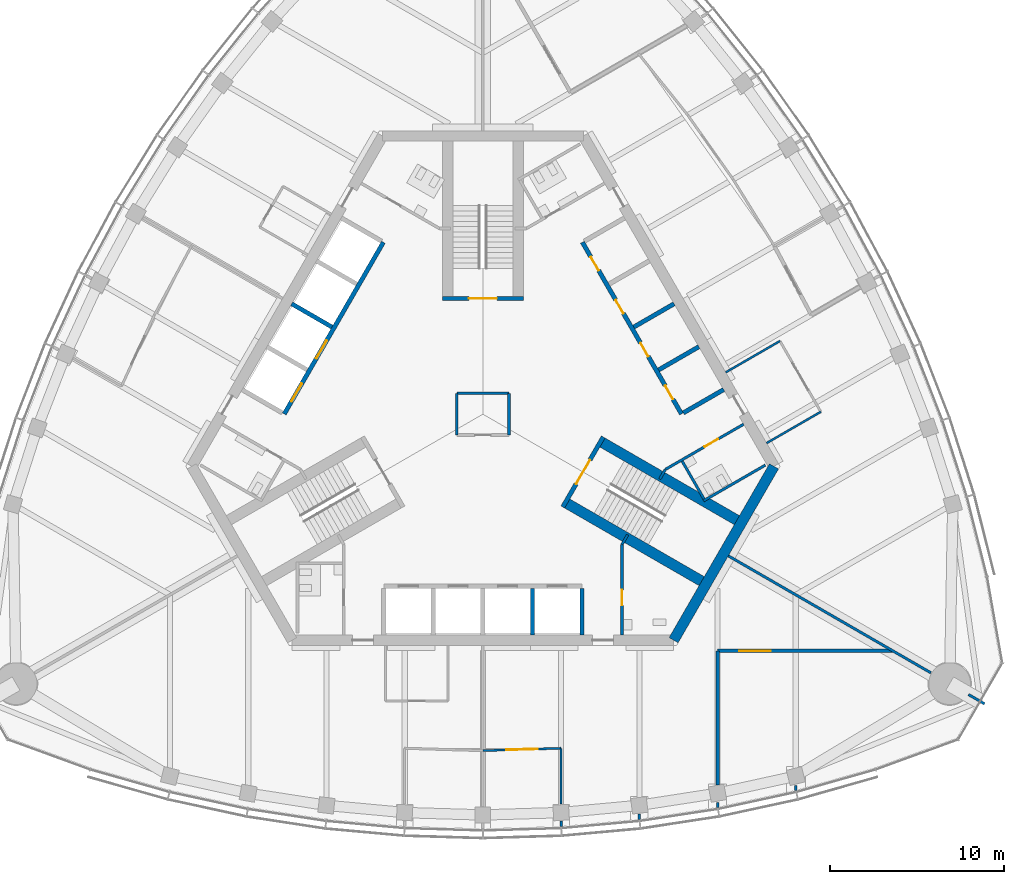
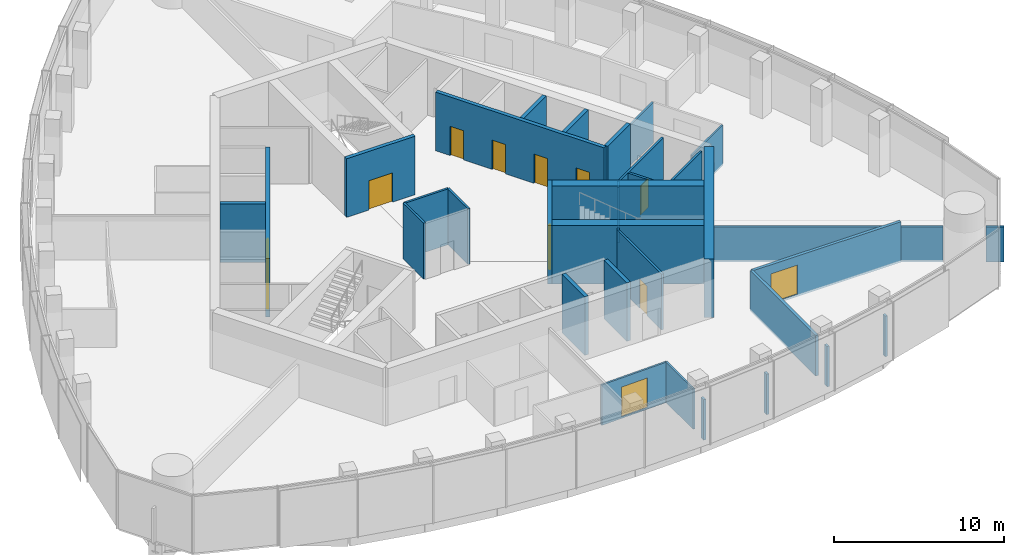
# One storey, part 9 of 16: 34 walls, 12 doors, 12 openings.
"""IFC4 building model written with IfcOpenShell, lengths in metres."""

from ifc_helpers import new_model, si_unit, direction, frame, frame_2d, origin, place, context, subcontext, project, spatial, rectangle, extrude, material, layer, layer_set, type_object, element, fill, save


model = new_model("IFC4")

# Units and contexts
model_context = context("Model", 3, precision=1e-05, world=origin(), true_north=direction((0.0, 1.0)))
body_context = subcontext(model_context, "Body", "Model", "MODEL_VIEW")
ifc_project = project(units=[si_unit("LENGTHUNIT", "METRE"), si_unit("AREAUNIT", "SQUARE_METRE"), si_unit("VOLUMEUNIT", "CUBIC_METRE"), si_unit("PLANEANGLEUNIT", "RADIAN"), si_unit("MASSUNIT", "GRAM", prefix="KILO")], contexts=[model_context])

# Site, building, storey
site_placement = place(None, origin())
site = spatial("IfcSite", under=ifc_project, at=site_placement, CompositionType="ELEMENT")
building_placement = place(site_placement, origin())
building = spatial("IfcBuilding", under=site, at=building_placement, Name="Trefoil Bronze Tower", CompositionType="ELEMENT")
storey_placement = place(building_placement, frame((0.0, 0.0, 314.10009765625)))
storey = spatial("IfcBuildingStorey", under=building, at=storey_placement, Name="L72", CompositionType="ELEMENT", Elevation=314.10009765625)

# Wall, opening, door
ifc_material_1 = material(Name="Gypsum board on steel studs", Category="steel")
ifc_layer_1 = layer(ifc_material_1, 0.199951171875)
ifc_layer_set_1 = layer_set([ifc_layer_1], Name="Acoustic partition 200")
wall_type_1 = type_object("IfcWallType", Name="Acoustic partition 200", PredefinedType="PARTITIONING", material=ifc_layer_set_1)
wall_1_placement = place(storey_placement, frame((13.5, -13.6201171875, 0.0), z_axis=(0.0, 0.0, 1.0), x_axis=(1.0, 0.0, 0.0)))
wall_1 = element("IfcWall", 1, at=wall_1_placement, inside=storey, type_object=wall_type_1, Name="Partition F1 L72", PredefinedType="PARTITIONING", context=body_context, shape_type="SweptSolid", body=[
    extrude(rectangle(XDim=10.070068359375, YDim=0.199951171875, at=frame_2d((5.03515625, 0.0))), origin(), (0.0, 0.0, 1.0), 2.89990234375),
])
opening_1_placement = place(wall_1_placement, frame((1.25, 0.0, 0.14990234375)))
opening_1 = element("IfcOpeningElement", 2, at=opening_1_placement, cuts=wall_1, Name="Opening D10", PredefinedType="OPENING", context=body_context, shape_type="SweptSolid", body=[
    extrude(rectangle(XDim=1.800048828125, YDim=2.10009765625, at=frame_2d((0.89990234375, 1.050048828125))), frame((0.0, 0.10986328125, 0.0), z_axis=(0.0, -1.0, 0.0), x_axis=(1.0, 0.0, 0.0)), (0.0, 0.0, 1.0), 0.219970703125),
])
ifc_material_2 = material(Name="Timber door", Category="wood")
door_type_1 = type_object("IfcDoorType", Name="Double door 1800", OperationType="DOUBLE_DOOR_SINGLE_SWING", PredefinedType="DOOR", material=ifc_material_2)
door_1_placement = place(opening_1_placement, frame((1.800048828125, 0.0, 0.0), z_axis=(0.0, 0.0, 1.0), x_axis=(-1.0, 0.0, 0.0)))
door_1 = element("IfcDoor", 3, at=door_1_placement, inside=storey, type_object=door_type_1, Name="Private dining room door F1 L72", OperationType="DOUBLE_DOOR_SINGLE_SWING", OverallHeight=2.10009765625, OverallWidth=1.800048828125, PredefinedType="DOOR", context=body_context, shape_type="SweptSolid", body=[
    extrude(rectangle(XDim=1.800048828125, YDim=2.10009765625, at=frame_2d((0.89990234375, 1.050048828125))), frame((0.0, 0.02490234375, 0.0), z_axis=(0.0, -1.0, 0.0), x_axis=(1.0, 0.0, 0.0)), (0.0, 0.0, 1.0), 0.050048828125),
])
fill(opening_1, door_1)

# Walls
wall_2_placement = place(storey_placement, frame((13.5, -13.6201171875, 0.0), z_axis=(0.0, 0.0, 1.0), x_axis=(0.0, -1.0, 0.0)))
element("IfcWall", 4, at=wall_2_placement, inside=storey, type_object=wall_type_1, Name="Partition F1 L72", PredefinedType="PARTITIONING", context=body_context, shape_type="SweptSolid", body=[
    extrude(rectangle(XDim=7.694580078125, YDim=0.199951171875, at=frame_2d((3.84716796875, 0.0))), origin(), (0.0, 0.0, 1.0), 2.89990234375),
])
ifc_material_3 = material(Name="Concrete B80", Category="concrete")
ifc_layer_2 = layer(ifc_material_3, 0.60009765625)
ifc_layer_set_2 = layer_set([ifc_layer_2], Name="Core wall 600")
wall_type_2 = type_object("IfcWallType", Name="Core wall 600", PredefinedType="SHEAR", material=ifc_layer_set_2)
wall_3_placement = place(storey_placement, frame((10.9697265625, -13.0, 0.0), z_axis=(0.0, 0.0, 1.0), x_axis=(0.499995765644, 0.866027848477, 0.0)))
element("IfcWall", 5, at=wall_3_placement, inside=storey, type_object=wall_type_2, Name="Core short wall 1 L72", PredefinedType="SHEAR", context=body_context, shape_type="SweptSolid", body=[
    extrude(rectangle(XDim=11.546875, YDim=0.60009765625, at=frame_2d((5.7734375, 0.0))), origin(), (0.0, 0.0, 1.0), 4.199951171875),
])

# Wall, opening, door
ifc_material_4 = material(Name="Glazed partition", Category="glass")
ifc_layer_3 = layer(ifc_material_4, 0.1201171875)
ifc_layer_set_3 = layer_set([ifc_layer_3], Name="Glazed partition 120")
wall_type_3 = type_object("IfcWallType", Name="Glazed partition 120", PredefinedType="PARTITIONING", material=ifc_layer_set_3)
wall_4_placement = place(storey_placement, frame((0.0, -19.3515625, 0.0), z_axis=(0.0, 0.0, 1.0), x_axis=(0.999542074227, 0.030259574513, 0.0)))
wall_4 = element("IfcWall", 6, at=wall_4_placement, inside=storey, type_object=wall_type_3, Name="Partition F1 L72", PredefinedType="PARTITIONING", context=body_context, shape_type="SweptSolid", body=[
    extrude(rectangle(XDim=4.501953125, YDim=0.1201171875, at=frame_2d((2.2509765625, 0.0))), origin(), (0.0, 0.0, 1.0), 2.89990234375),
])
opening_2_placement = place(wall_4_placement, frame((1.35009765625, 0.0, 0.14990234375)))
opening_2 = element("IfcOpeningElement", 7, at=opening_2_placement, cuts=wall_4, Name="Opening D10", PredefinedType="OPENING", context=body_context, shape_type="SweptSolid", body=[
    extrude(rectangle(XDim=1.800048828125, YDim=2.10009765625, at=frame_2d((0.89990234375, 1.050048828125))), frame((0.0, 0.070068359375, 0.0), z_axis=(0.0, -1.0, 0.0), x_axis=(1.0, 0.0, 0.0)), (0.0, 0.0, 1.0), 0.14013671875),
])
door_2_placement = place(opening_2_placement, frame((1.800048828125, 0.0, 0.0), z_axis=(0.0, 0.0, 1.0), x_axis=(-1.0, 0.0, 0.0)))
door_2 = element("IfcDoor", 8, at=door_2_placement, inside=storey, type_object=door_type_1, Name="Kitchen door F1 L72", OperationType="DOUBLE_DOOR_SINGLE_SWING", OverallHeight=2.10009765625, OverallWidth=1.800048828125, PredefinedType="DOOR", context=body_context, shape_type="SweptSolid", body=[
    extrude(rectangle(XDim=1.800048828125, YDim=2.10009765625, at=frame_2d((0.89990234375, 1.050048828125))), frame((0.0, 0.02490234375, 0.0), z_axis=(0.0, -1.0, 0.0), x_axis=(1.0, 0.0, 0.0)), (0.0, 0.0, 1.0), 0.050048828125),
])
fill(opening_2, door_2)

# Walls
wall_5_placement = place(storey_placement, frame((4.5, -19.21533203125, 0.0), z_axis=(0.0, 0.0, 1.0), x_axis=(0.0, -1.0, 0.0)))
element("IfcWall", 9, at=wall_5_placement, inside=storey, type_object=wall_type_3, Name="Partition F1 L72", PredefinedType="PARTITIONING", context=body_context, shape_type="SweptSolid", body=[
    extrude(rectangle(XDim=3.2177734375, YDim=0.1201171875, at=frame_2d((1.60888671875, 0.0))), origin(), (0.0, 0.0, 1.0), 2.89990234375),
])
wall_6_placement = place(storey_placement, frame((13.968017578125, 2.406494140625, 0.0), z_axis=(0.0, 0.0, 1.0), x_axis=(0.866035395735, 0.499982693035, 0.0)))
element("IfcWall", 10, at=wall_6_placement, inside=storey, type_object=wall_type_3, Name="Partition F2 L72", PredefinedType="PARTITIONING", context=body_context, shape_type="SweptSolid", body=[
    extrude(rectangle(XDim=3.600341796875, YDim=0.1201171875, at=frame_2d((1.80029296875, 0.0))), origin(), (0.0, 0.0, 1.0), 2.89990234375),
])
wall_7_placement = place(storey_placement, frame((16.318115234375, -1.663818359375, 0.0), z_axis=(0.0, 0.0, 1.0), x_axis=(0.866018442252, 0.500012057535, 0.0)))
element("IfcWall", 11, at=wall_7_placement, inside=storey, type_object=wall_type_3, Name="Partition F2 L72", PredefinedType="PARTITIONING", context=body_context, shape_type="SweptSolid", body=[
    extrude(rectangle(XDim=3.60009765625, YDim=0.1201171875, at=frame_2d((1.800048828125, 0.0))), origin(), (0.0, 0.0, 1.0), 2.89990234375),
])

# Wall, opening, door
ifc_material_5 = material(Name="Gypsum board on steel studs", Category="steel")
ifc_layer_4 = layer(ifc_material_5, 0.14990234375)
ifc_layer_set_4 = layer_set([ifc_layer_4], Name="Partition 150")
wall_type_4 = type_object("IfcWallType", Name="Partition 150", PredefinedType="PARTITIONING", material=ifc_layer_set_4)
wall_8_placement = place(storey_placement, frame((8.0, -7.5, 0.0), z_axis=(0.0, 0.0, 1.0), x_axis=(0.0, -1.0, 0.0)))
wall_8 = element("IfcWall", 12, at=wall_8_placement, inside=storey, type_object=wall_type_4, Name="Passage wall F1+ L72", PredefinedType="PARTITIONING", context=body_context, shape_type="SweptSolid", body=[
    extrude(rectangle(XDim=5.199951171875, YDim=0.14990234375, at=frame_2d((2.60009765625, 0.0))), origin(), (0.0, 0.0, 1.0), 4.0),
])
opening_3_placement = place(wall_8_placement, frame((2.60009765625, 0.0, 0.0)))
opening_3 = element("IfcOpeningElement", 13, at=opening_3_placement, cuts=wall_8, Name="Opening D3", PredefinedType="OPENING", context=body_context, shape_type="SweptSolid", body=[
    extrude(rectangle(XDim=0.89990234375, YDim=2.10009765625, at=frame_2d((0.449951171875, 1.050048828125))), frame((0.0, 0.0849609375, 0.0), z_axis=(0.0, -1.0, 0.0), x_axis=(1.0, 0.0, 0.0)), (0.0, 0.0, 1.0), 0.169921875),
])
ifc_material_6 = material(Name="Timber door", Category="wood")
door_type_2 = type_object("IfcDoorType", Name="WC door 900", OperationType="SINGLE_SWING_LEFT", PredefinedType="DOOR", material=ifc_material_6)
door_3_placement = place(opening_3_placement, origin())
door_3 = element("IfcDoor", 14, at=door_3_placement, inside=storey, type_object=door_type_2, Name="Accessible WC door L72", OperationType="SINGLE_SWING_RIGHT", OverallHeight=2.10009765625, OverallWidth=0.89990234375, PredefinedType="DOOR", context=body_context, shape_type="SweptSolid", body=[
    extrude(rectangle(XDim=0.89990234375, YDim=2.10009765625, at=frame_2d((0.449951171875, 1.050048828125))), frame((0.0, 0.02490234375, 0.0), z_axis=(0.0, -1.0, 0.0), x_axis=(1.0, 0.0, 0.0)), (0.0, 0.0, 1.0), 0.050048828125),
])
fill(opening_3, door_3)

wall_9_placement = place(storey_placement, frame((10.4951171875, -3.17822265625, 0.0), z_axis=(0.0, 0.0, 1.0), x_axis=(0.866021400173, 0.500006934395, 0.0)))
wall_9 = element("IfcWall", 15, at=wall_9_placement, inside=storey, type_object=wall_type_4, Name="Passage wall F2- L72", PredefinedType="PARTITIONING", context=body_context, shape_type="SweptSolid", body=[
    extrude(rectangle(XDim=5.2001953125, YDim=0.14990234375, at=frame_2d((2.60009765625, 0.0))), origin(), (0.0, 0.0, 1.0), 4.0),
])
opening_4_placement = place(wall_9_placement, frame((2.60009765625, 0.0, 0.0)))
opening_4 = element("IfcOpeningElement", 16, at=opening_4_placement, cuts=wall_9, Name="Opening D3", PredefinedType="OPENING", context=body_context, shape_type="SweptSolid", body=[
    extrude(rectangle(XDim=0.89990234375, YDim=2.10009765625, at=frame_2d((0.449951171875, 1.050048828125))), frame((0.0, 0.0849609375, 0.0), z_axis=(0.0, -1.0, 0.0), x_axis=(1.0, 0.0, 0.0)), (0.0, 0.0, 1.0), 0.169921875),
])
door_4_placement = place(opening_4_placement, frame((0.89990234375, 0.0, 0.0), z_axis=(0.0, 0.0, 1.0), x_axis=(-1.0, 0.0, 0.0)))
door_4 = element("IfcDoor", 17, at=door_4_placement, inside=storey, type_object=door_type_2, Name="WC (women) door L72", OperationType="SINGLE_SWING_RIGHT", OverallHeight=2.10009765625, OverallWidth=0.89990234375, PredefinedType="DOOR", context=body_context, shape_type="SweptSolid", body=[
    extrude(rectangle(XDim=0.89990234375, YDim=2.10009765625, at=frame_2d((0.449951171875, 1.050048828125))), frame((0.0, 0.02490234375, 0.0), z_axis=(0.0, -1.0, 0.0), x_axis=(1.0, 0.0, 0.0)), (0.0, 0.0, 1.0), 0.050048828125),
])
fill(opening_4, door_4)

# Walls
for number, where, z_axis, x_axis, name in (
    (18, (8.0, -7.5, 0.0), (0.0, 0.0, 1.0), (0.499842556608, 0.866116284689, 0.0), "WC wall ST1-1 L72"),
    (19, (10.4951171875, -3.17822265625, 0.0), (0.0, 0.0, 1.0), (-0.499842556608, -0.866116284689, 0.0), "WC wall ST1+1 L72"),
):
    element("IfcWall", number, at=place(storey_placement, frame(where, z_axis=z_axis, x_axis=x_axis)), inside=storey, type_object=wall_type_4, Name=name, PredefinedType="PARTITIONING", context=body_context, shape_type="SweptSolid", body=[
        extrude(rectangle(XDim=0.645263671875, YDim=0.14990234375, at=frame_2d((0.32275390625, 0.0))), origin(), (0.0, 0.0, 1.0), 4.0),
    ])
wall_10_placement = place(storey_placement, frame((12.691162109375, -4.98193359375, 0.0), z_axis=(0.0, 0.0, 1.0), x_axis=(0.8660249478, 0.500000789788, 0.0)))
element("IfcWall", 20, at=wall_10_placement, inside=storey, type_object=wall_type_4, Name="WC partition WC (women) L72", PredefinedType="PARTITIONING", context=body_context, shape_type="SweptSolid", body=[
    extrude(rectangle(XDim=4.10009765625, YDim=0.14990234375, at=frame_2d((2.050048828125, 0.0))), origin(), (0.0, 0.0, 1.0), 4.0),
])
wall_11_placement = place(storey_placement, frame((11.463623046875, -2.70556640625, 0.0), z_axis=(0.0, 0.0, 1.0), x_axis=(0.50001992892, -0.866013897511, 0.0)))
element("IfcWall", 21, at=wall_11_placement, inside=storey, type_object=wall_type_4, Name="WC partition WC (women) L72", PredefinedType="PARTITIONING", context=body_context, shape_type="SweptSolid", body=[
    extrude(rectangle(XDim=2.51025390625, YDim=0.14990234375, at=frame_2d((1.255126953125, 0.0))), origin(), (0.0, 0.0, 1.0), 4.0),
])
wall_12_placement = place(storey_placement, frame((13.5, -22.3310546875, 0.0), z_axis=(0.0, 0.0, 1.0), x_axis=(0.0, -1.0, 0.0)))
element("IfcWall", 22, at=wall_12_placement, inside=storey, type_object=wall_type_4, Name="Partition F1 L72", PredefinedType="PARTITIONING", context=body_context, shape_type="SweptSolid", body=[
    extrude(rectangle(XDim=0.2802734375, YDim=0.14990234375, at=frame_2d((0.14013671875, 0.0))), origin(), (0.0, 0.0, 1.0), 2.89990234375),
])
wall_13_placement = place(storey_placement, frame((18.0, -21.365966796875, 0.0), z_axis=(0.0, 0.0, 1.0), x_axis=(0.0, -1.0, 0.0)))
element("IfcWall", 23, at=wall_13_placement, inside=storey, type_object=wall_type_4, Name="Partition F1 L72", PredefinedType="PARTITIONING", context=body_context, shape_type="SweptSolid", body=[
    extrude(rectangle(XDim=0.269775390625, YDim=0.14990234375, at=frame_2d((0.134765625, 0.0))), origin(), (0.0, 0.0, 1.0), 2.89990234375),
])
wall_14_placement = place(storey_placement, frame((4.5, -23.394287109375, 0.0), z_axis=(0.0, 0.0, 1.0), x_axis=(0.0, -1.0, 0.0)))
element("IfcWall", 24, at=wall_14_placement, inside=storey, type_object=wall_type_4, Name="Partition F1 L72", PredefinedType="PARTITIONING", context=body_context, shape_type="SweptSolid", body=[
    extrude(rectangle(XDim=0.316162109375, YDim=0.14990234375, at=frame_2d((0.158203125, 0.0))), origin(), (0.0, 0.0, 1.0), 2.89990234375),
])
wall_15_placement = place(storey_placement, frame((9.0, -23.00439453125, 0.0), z_axis=(0.0, 0.0, 1.0), x_axis=(0.0, -1.0, 0.0)))
element("IfcWall", 25, at=wall_15_placement, inside=storey, type_object=wall_type_4, Name="Partition F1 L72", PredefinedType="PARTITIONING", context=body_context, shape_type="SweptSolid", body=[
    extrude(rectangle(XDim=0.295654296875, YDim=0.14990234375, at=frame_2d((0.14794921875, 0.0))), origin(), (0.0, 0.0, 1.0), 2.89990234375),
])
ifc_material_7 = material(Name="Gypsum board on steel studs", Category="steel")
ifc_layer_5 = layer(ifc_material_7, 0.14990234375)
ifc_layer_set_5 = layer_set([ifc_layer_5], Name="Party wall 150")
wall_type_5 = type_object("IfcWallType", Name="Party wall 150", PredefinedType="PARTITIONING", material=ifc_layer_set_5)
wall_16_placement = place(storey_placement, frame((14.1162109375, -8.14990234375, 0.0), z_axis=(0.0, 0.0, 1.0), x_axis=(0.866020541135, -0.500008422262, 0.0)))
element("IfcWall", 26, at=wall_16_placement, inside=storey, type_object=wall_type_5, Name="Party wall K1 L72", PredefinedType="PARTITIONING", context=body_context, shape_type="SweptSolid", body=[
    extrude(rectangle(XDim=13.449951171875, YDim=0.14990234375, at=frame_2d((6.72509765625, 0.0))), origin(), (0.0, 0.0, 1.0), 2.5),
])
wall_17_placement = place(storey_placement, frame((27.92919921875, -16.125, 0.0), z_axis=(0.0, 0.0, 1.0), x_axis=(0.866086810508, -0.499893625349, 0.0)))
element("IfcWall", 27, at=wall_17_placement, inside=storey, type_object=wall_type_5, Name="Party wall K1 L72", PredefinedType="PARTITIONING", context=body_context, shape_type="SweptSolid", body=[
    extrude(rectangle(XDim=1.070068359375, YDim=0.14990234375, at=frame_2d((0.53515625, 0.0))), origin(), (0.0, 0.0, 1.0), 2.5),
])
ifc_material_8 = material(Name="Gypsum board on steel studs", Category="steel")
ifc_layer_6 = layer(ifc_material_8, 0.14990234375)
ifc_layer_set_6 = layer_set([ifc_layer_6], Name="Riser wall 150")
wall_type_6 = type_object("IfcWallType", Name="Riser wall 150", PredefinedType="PARTITIONING", material=ifc_layer_set_6)
wall_18_placement = place(storey_placement, frame((1.5, -1.199951171875, 0.0), z_axis=(0.0, 0.0, 1.0), x_axis=(0.0, 1.0, 0.0)))
element("IfcWall", 28, at=wall_18_placement, inside=storey, type_object=wall_type_6, Name="Riser wall L72", PredefinedType="PARTITIONING", context=body_context, shape_type="SweptSolid", body=[
    extrude(rectangle(XDim=2.39990234375, YDim=0.14990234375, at=frame_2d((1.199951171875, 0.0))), origin(), (0.0, 0.0, 1.0), 4.0),
])
wall_19_placement = place(storey_placement, frame((1.5, 1.199951171875, 0.0), z_axis=(0.0, 0.0, 1.0), x_axis=(-1.0, 0.0, 0.0)))
element("IfcWall", 29, at=wall_19_placement, inside=storey, type_object=wall_type_6, Name="Riser wall L72", PredefinedType="PARTITIONING", context=body_context, shape_type="SweptSolid", body=[
    extrude(rectangle(XDim=3.0, YDim=0.14990234375, at=frame_2d((1.5, 0.0))), origin(), (0.0, 0.0, 1.0), 4.0),
])
wall_20_placement = place(storey_placement, frame((-1.5, 1.199951171875, 0.0), z_axis=(0.0, 0.0, 1.0), x_axis=(0.0, -1.0, 0.0)))
element("IfcWall", 30, at=wall_20_placement, inside=storey, type_object=wall_type_6, Name="Riser wall L72", PredefinedType="PARTITIONING", context=body_context, shape_type="SweptSolid", body=[
    extrude(rectangle(XDim=2.39990234375, YDim=0.14990234375, at=frame_2d((1.199951171875, 0.0))), origin(), (0.0, 0.0, 1.0), 4.0),
])
ifc_material_9 = material(Name="Concrete B80", Category="concrete")
ifc_layer_7 = layer(ifc_material_9, 0.25)
ifc_layer_set_7 = layer_set([ifc_layer_7], Name="Shaft wall 250")
wall_type_7 = type_object("IfcWallType", Name="Shaft wall 250", PredefinedType="SHEAR", material=ifc_layer_set_7)
for number, where, z_axis, x_axis, name in (
    (31, (2.85009765625, -10.02490234375, 0.0), (0.0, 0.0, 1.0), (0.0, -1.0, 0.0), "Lift shaft side wall A3 L72"),
    (32, (5.699951171875, -10.02490234375, 0.0), (0.0, 0.0, 1.0), (0.0, -1.0, 0.0), "Lift shaft side wall A4 L72"),
):
    element("IfcWall", number, at=place(storey_placement, frame(where, z_axis=z_axis, x_axis=x_axis)), inside=storey, type_object=wall_type_7, Name=name, PredefinedType="SHEAR", context=body_context, shape_type="SweptSolid", body=[
        extrude(rectangle(XDim=2.675048828125, YDim=0.25, at=frame_2d((1.33740234375, 0.0))), origin(), (0.0, 0.0, 1.0), 4.199951171875),
    ])

# Wall, openings, doors
wall_21_placement = place(storey_placement, frame((11.423583984375, 0.013671875, 0.0), z_axis=(0.0, 0.0, 1.0), x_axis=(-0.500001763848, 0.866024385424, 0.0)))
wall_21 = element("IfcWall", 33, at=wall_21_placement, inside=storey, type_object=wall_type_7, Name="Lift shaft front wall B L72", PredefinedType="SHEAR", context=body_context, shape_type="SweptSolid", body=[
    extrude(rectangle(XDim=11.39990234375, YDim=0.25, at=frame_2d((5.699951171875, 0.0))), origin(), (0.0, 0.0, 1.0), 4.199951171875),
])
opening_5_placement = place(wall_21_placement, frame((0.97509765625, 0.0, 0.0)))
opening_5 = element("IfcOpeningElement", 34, at=opening_5_placement, cuts=wall_21, Name="Opening D12", PredefinedType="OPENING", context=body_context, shape_type="SweptSolid", body=[
    extrude(rectangle(XDim=0.89990234375, YDim=2.10009765625, at=frame_2d((0.449951171875, 1.050048828125))), frame((0.0, 0.135009765625, 0.0), z_axis=(0.0, -1.0, 0.0), x_axis=(1.0, 0.0, 0.0)), (0.0, 0.0, 1.0), 0.27001953125),
])
opening_6_placement = place(wall_21_placement, frame((3.824951171875, 0.0, 0.0)))
opening_6 = element("IfcOpeningElement", 35, at=opening_6_placement, cuts=wall_21, Name="Opening D12", PredefinedType="OPENING", context=body_context, shape_type="SweptSolid", body=[
    extrude(rectangle(XDim=0.89990234375, YDim=2.10009765625, at=frame_2d((0.449951171875, 1.050048828125))), frame((0.0, 0.135009765625, 0.0), z_axis=(0.0, -1.0, 0.0), x_axis=(1.0, 0.0, 0.0)), (0.0, 0.0, 1.0), 0.27001953125),
])
opening_7_placement = place(wall_21_placement, frame((6.675048828125, 0.0, 0.0)))
opening_7 = element("IfcOpeningElement", 36, at=opening_7_placement, cuts=wall_21, Name="Opening D12", PredefinedType="OPENING", context=body_context, shape_type="SweptSolid", body=[
    extrude(rectangle(XDim=0.89990234375, YDim=2.10009765625, at=frame_2d((0.449951171875, 1.050048828125))), frame((0.0, 0.135009765625, 0.0), z_axis=(0.0, -1.0, 0.0), x_axis=(1.0, 0.0, 0.0)), (0.0, 0.0, 1.0), 0.27001953125),
])
opening_8_placement = place(wall_21_placement, frame((9.52490234375, 0.0, 0.0)))
opening_8 = element("IfcOpeningElement", 37, at=opening_8_placement, cuts=wall_21, Name="Opening D12", PredefinedType="OPENING", context=body_context, shape_type="SweptSolid", body=[
    extrude(rectangle(XDim=0.89990234375, YDim=2.10009765625, at=frame_2d((0.449951171875, 1.050048828125))), frame((0.0, 0.135009765625, 0.0), z_axis=(0.0, -1.0, 0.0), x_axis=(1.0, 0.0, 0.0)), (0.0, 0.0, 1.0), 0.27001953125),
])
ifc_material_10 = material(Name="Steel door", Category="steel")
door_type_3 = type_object("IfcDoorType", Name="Shaft room door 900", OperationType="SINGLE_SWING_LEFT", PredefinedType="DOOR", material=ifc_material_10)
door_5_placement = place(opening_5_placement, frame((0.89990234375, 0.0, 0.0), z_axis=(0.0, 0.0, 1.0), x_axis=(-1.0, 0.0, 0.0)))
door_5 = element("IfcDoor", 38, at=door_5_placement, inside=storey, type_object=door_type_3, Name="Shaft room door B1 L72", OperationType="SINGLE_SWING_LEFT", OverallHeight=2.10009765625, OverallWidth=0.89990234375, PredefinedType="DOOR", context=body_context, shape_type="SweptSolid", body=[
    extrude(rectangle(XDim=0.89990234375, YDim=2.10009765625, at=frame_2d((0.449951171875, 1.050048828125))), frame((0.0, 0.02490234375, 0.0), z_axis=(0.0, -1.0, 0.0), x_axis=(1.0, 0.0, 0.0)), (0.0, 0.0, 1.0), 0.050048828125),
])
fill(opening_5, door_5)
door_6_placement = place(opening_6_placement, frame((0.89990234375, 0.0, 0.0), z_axis=(0.0, 0.0, 1.0), x_axis=(-1.0, 0.0, 0.0)))
door_6 = element("IfcDoor", 39, at=door_6_placement, inside=storey, type_object=door_type_3, Name="Shaft room door B2 L72", OperationType="SINGLE_SWING_RIGHT", OverallHeight=2.10009765625, OverallWidth=0.89990234375, PredefinedType="DOOR", context=body_context, shape_type="SweptSolid", body=[
    extrude(rectangle(XDim=0.89990234375, YDim=2.10009765625, at=frame_2d((0.449951171875, 1.050048828125))), frame((0.0, 0.02490234375, 0.0), z_axis=(0.0, -1.0, 0.0), x_axis=(1.0, 0.0, 0.0)), (0.0, 0.0, 1.0), 0.050048828125),
])
fill(opening_6, door_6)
door_7_placement = place(opening_7_placement, frame((0.89990234375, 0.0, 0.0), z_axis=(0.0, 0.0, 1.0), x_axis=(-1.0, 0.0, 0.0)))
door_7 = element("IfcDoor", 40, at=door_7_placement, inside=storey, type_object=door_type_3, Name="Shaft room door B3 L72", OperationType="SINGLE_SWING_RIGHT", OverallHeight=2.10009765625, OverallWidth=0.89990234375, PredefinedType="DOOR", context=body_context, shape_type="SweptSolid", body=[
    extrude(rectangle(XDim=0.89990234375, YDim=2.10009765625, at=frame_2d((0.449951171875, 1.050048828125))), frame((0.0, 0.02490234375, 0.0), z_axis=(0.0, -1.0, 0.0), x_axis=(1.0, 0.0, 0.0)), (0.0, 0.0, 1.0), 0.050048828125),
])
fill(opening_7, door_7)
door_8_placement = place(opening_8_placement, frame((0.89990234375, 0.0, 0.0), z_axis=(0.0, 0.0, 1.0), x_axis=(-1.0, 0.0, 0.0)))
door_8 = element("IfcDoor", 41, at=door_8_placement, inside=storey, type_object=door_type_3, Name="Shaft room door B4 L72", OperationType="SINGLE_SWING_RIGHT", OverallHeight=2.10009765625, OverallWidth=0.89990234375, PredefinedType="DOOR", context=body_context, shape_type="SweptSolid", body=[
    extrude(rectangle(XDim=0.89990234375, YDim=2.10009765625, at=frame_2d((0.449951171875, 1.050048828125))), frame((0.0, 0.02490234375, 0.0), z_axis=(0.0, -1.0, 0.0), x_axis=(1.0, 0.0, 0.0)), (0.0, 0.0, 1.0), 0.050048828125),
])
fill(opening_8, door_8)

# Walls
for number, where, z_axis, x_axis, name in (
    (42, (11.531982421875, 0.076171875, 0.0), (0.0, 0.0, 1.0), (0.86604424267, 0.499967368674, 0.0), "Lift shaft side wall B0 L72"),
    (43, (10.10693359375, 2.54443359375, 0.0), (0.0, 0.0, 1.0), (0.86604424267, 0.499967368674, 0.0), "Lift shaft side wall B1 L72"),
    (44, (8.681884765625, 5.012451171875, 0.0), (0.0, 0.0, 1.0), (0.866004723184, 0.50003581814, 0.0), "Lift shaft side wall B2 L72"),
):
    element("IfcWall", number, at=place(storey_placement, frame(where, z_axis=z_axis, x_axis=x_axis)), inside=storey, type_object=wall_type_7, Name=name, PredefinedType="SHEAR", context=body_context, shape_type="SweptSolid", body=[
        extrude(rectangle(XDim=2.675048828125, YDim=0.25, at=frame_2d((1.33740234375, 0.0))), origin(), (0.0, 0.0, 1.0), 4.199951171875),
    ])

# Wall, openings, doors
wall_22_placement = place(storey_placement, frame((-5.7236328125, 9.88623046875, 0.0), z_axis=(0.0, 0.0, 1.0), x_axis=(-0.500001763848, -0.866024385424, 0.0)))
wall_22 = element("IfcWall", 45, at=wall_22_placement, inside=storey, type_object=wall_type_7, Name="Lift shaft front wall C L72", PredefinedType="SHEAR", context=body_context, shape_type="SweptSolid", body=[
    extrude(rectangle(XDim=11.39990234375, YDim=0.25, at=frame_2d((5.699951171875, 0.0))), origin(), (0.0, 0.0, 1.0), 4.199951171875),
])
opening_9_placement = place(wall_22_placement, frame((6.52490234375, 0.0, 0.0)))
opening_9 = element("IfcOpeningElement", 46, at=opening_9_placement, cuts=wall_22, Name="Opening LD-FL1", PredefinedType="OPENING", context=body_context, shape_type="SweptSolid", body=[
    extrude(rectangle(XDim=1.199951171875, YDim=2.199951171875, at=frame_2d((0.60009765625, 1.10009765625))), frame((0.0, 0.135009765625, 0.0), z_axis=(0.0, -1.0, 0.0), x_axis=(1.0, 0.0, 0.0)), (0.0, 0.0, 1.0), 0.27001953125),
])
opening_10_placement = place(wall_22_placement, frame((9.375, 0.0, 0.0)))
opening_10 = element("IfcOpeningElement", 47, at=opening_10_placement, cuts=wall_22, Name="Opening LD-FL2", PredefinedType="OPENING", context=body_context, shape_type="SweptSolid", body=[
    extrude(rectangle(XDim=1.199951171875, YDim=2.199951171875, at=frame_2d((0.60009765625, 1.10009765625))), frame((0.0, 0.135009765625, 0.0), z_axis=(0.0, -1.0, 0.0), x_axis=(1.0, 0.0, 0.0)), (0.0, 0.0, 1.0), 0.27001953125),
])
ifc_material_11 = material(Name="Steel door", Category="steel")
door_type_4 = type_object("IfcDoorType", Name="Lift landing door 1200", OperationType="DOUBLE_DOOR_SLIDING", PredefinedType="DOOR", material=ifc_material_11)
door_9_placement = place(opening_9_placement, origin())
door_9 = element("IfcDoor", 48, at=door_9_placement, inside=storey, type_object=door_type_4, Name="Lift FL1 landing door L72", OperationType="DOUBLE_DOOR_SLIDING", OverallHeight=2.199951171875, OverallWidth=1.199951171875, PredefinedType="DOOR", context=body_context, shape_type="SweptSolid", body=[
    extrude(rectangle(XDim=1.199951171875, YDim=2.199951171875, at=frame_2d((0.60009765625, 1.10009765625))), frame((0.0, 0.02490234375, 0.0), z_axis=(0.0, -1.0, 0.0), x_axis=(1.0, 0.0, 0.0)), (0.0, 0.0, 1.0), 0.050048828125),
])
fill(opening_9, door_9)
door_10_placement = place(opening_10_placement, origin())
door_10 = element("IfcDoor", 49, at=door_10_placement, inside=storey, type_object=door_type_4, Name="Lift FL2 landing door L72", OperationType="DOUBLE_DOOR_SLIDING", OverallHeight=2.199951171875, OverallWidth=1.199951171875, PredefinedType="DOOR", context=body_context, shape_type="SweptSolid", body=[
    extrude(rectangle(XDim=1.199951171875, YDim=2.199951171875, at=frame_2d((0.60009765625, 1.10009765625))), frame((0.0, 0.02490234375, 0.0), z_axis=(0.0, -1.0, 0.0), x_axis=(1.0, 0.0, 0.0)), (0.0, 0.0, 1.0), 0.050048828125),
])
fill(opening_10, door_10)

# Wall
wall_23_placement = place(storey_placement, frame((-8.681884765625, 5.012451171875, 0.0), z_axis=(0.0, 0.0, 1.0), x_axis=(-0.866004723184, 0.50003581814, 0.0)))
element("IfcWall", 50, at=wall_23_placement, inside=storey, type_object=wall_type_7, Name="Lift shaft side wall C2 L72", PredefinedType="SHEAR", context=body_context, shape_type="SweptSolid", body=[
    extrude(rectangle(XDim=2.675048828125, YDim=0.25, at=frame_2d((1.33740234375, 0.0))), origin(), (0.0, 0.0, 1.0), 4.199951171875),
])

# Wall, opening, door
wall_24_placement = place(storey_placement, frame((4.5966796875, -5.338623046875, 0.0), z_axis=(0.0, 0.0, 1.0), x_axis=(0.499984536904, 0.866034331223, 0.0)))
wall_24 = element("IfcWall", 51, at=wall_24_placement, inside=storey, type_object=wall_type_7, Name="Stair end wall ST1 L72", PredefinedType="SHEAR", context=body_context, shape_type="SweptSolid", body=[
    extrude(rectangle(XDim=4.650146484375, YDim=0.25, at=frame_2d((2.3251953125, 0.0))), origin(), (0.0, 0.0, 1.0), 4.199951171875),
])
opening_11_placement = place(wall_24_placement, frame((1.52490234375, 0.0, 0.0)))
opening_11 = element("IfcOpeningElement", 52, at=opening_11_placement, cuts=wall_24, Name="Opening D1", PredefinedType="OPENING", context=body_context, shape_type="SweptSolid", body=[
    extrude(rectangle(XDim=1.60009765625, YDim=2.10009765625, at=frame_2d((0.800048828125, 1.050048828125))), frame((0.0, 0.135009765625, 0.0), z_axis=(0.0, -1.0, 0.0), x_axis=(1.0, 0.0, 0.0)), (0.0, 0.0, 1.0), 0.27001953125),
])
ifc_material_12 = material(Name="Steel door", Category="steel")
door_type_5 = type_object("IfcDoorType", Name="Stair door 1600", OperationType="DOUBLE_DOOR_SINGLE_SWING", PredefinedType="DOOR", material=ifc_material_12)
door_11_placement = place(opening_11_placement, frame((1.60009765625, 0.0, 0.0), z_axis=(0.0, 0.0, 1.0), x_axis=(-1.0, 0.0, 0.0)))
door_11 = element("IfcDoor", 53, at=door_11_placement, inside=storey, type_object=door_type_5, Name="Stair door ST1 L72", OperationType="DOUBLE_DOOR_SINGLE_SWING", OverallHeight=2.10009765625, OverallWidth=1.60009765625, PredefinedType="DOOR", context=body_context, shape_type="SweptSolid", body=[
    extrude(rectangle(XDim=1.60009765625, YDim=2.10009765625, at=frame_2d((0.800048828125, 1.050048828125))), frame((0.0, 0.02490234375, 0.0), z_axis=(0.0, -1.0, 0.0), x_axis=(1.0, 0.0, 0.0)), (0.0, 0.0, 1.0), 0.050048828125),
])
fill(opening_11, door_11)

wall_25_placement = place(storey_placement, frame((2.324951171875, 6.64990234375, 0.0), z_axis=(0.0, 0.0, 1.0), x_axis=(-1.0, 0.0, 0.0)))
wall_25 = element("IfcWall", 54, at=wall_25_placement, inside=storey, type_object=wall_type_7, Name="Stair end wall ST2 L72", PredefinedType="SHEAR", context=body_context, shape_type="SweptSolid", body=[
    extrude(rectangle(XDim=4.64990234375, YDim=0.25, at=frame_2d((2.324951171875, 0.0))), origin(), (0.0, 0.0, 1.0), 4.199951171875),
])
opening_12_placement = place(wall_25_placement, frame((1.52490234375, 0.0, 0.0)))
opening_12 = element("IfcOpeningElement", 55, at=opening_12_placement, cuts=wall_25, Name="Opening D1", PredefinedType="OPENING", context=body_context, shape_type="SweptSolid", body=[
    extrude(rectangle(XDim=1.60009765625, YDim=2.10009765625, at=frame_2d((0.800048828125, 1.050048828125))), frame((0.0, 0.135009765625, 0.0), z_axis=(0.0, -1.0, 0.0), x_axis=(1.0, 0.0, 0.0)), (0.0, 0.0, 1.0), 0.27001953125),
])
door_12_placement = place(opening_12_placement, frame((1.60009765625, 0.0, 0.0), z_axis=(0.0, 0.0, 1.0), x_axis=(-1.0, 0.0, 0.0)))
door_12 = element("IfcDoor", 56, at=door_12_placement, inside=storey, type_object=door_type_5, Name="Stair door ST2 L72", OperationType="DOUBLE_DOOR_SINGLE_SWING", OverallHeight=2.10009765625, OverallWidth=1.60009765625, PredefinedType="DOOR", context=body_context, shape_type="SweptSolid", body=[
    extrude(rectangle(XDim=1.60009765625, YDim=2.10009765625, at=frame_2d((0.800048828125, 1.050048828125))), frame((0.0, 0.02490234375, 0.0), z_axis=(0.0, -1.0, 0.0), x_axis=(1.0, 0.0, 0.0)), (0.0, 0.0, 1.0), 0.050048828125),
])
fill(opening_12, door_12)

# Walls
ifc_material_13 = material(Name="Concrete B80", Category="concrete")
ifc_layer_8 = layer(ifc_material_13, 0.60009765625)
ifc_layer_set_8 = layer_set([ifc_layer_8], Name="Stair wall 600")
wall_type_8 = type_object("IfcWallType", Name="Stair wall 600", PredefinedType="SHEAR", material=ifc_layer_set_8)
wall_26_placement = place(storey_placement, frame((4.638427734375, -5.01611328125, 0.0), z_axis=(0.0, 0.0, 1.0), x_axis=(0.866012320003, -0.50002266109, 0.0)))
element("IfcWall", 57, at=wall_26_placement, inside=storey, type_object=wall_type_8, Name="Stair wall ST1 L72", PredefinedType="SHEAR", context=body_context, shape_type="SweptSolid", body=[
    extrude(rectangle(XDim=9.1748046875, YDim=0.60009765625, at=frame_2d((4.58740234375, 0.0))), origin(), (0.0, 0.0, 1.0), 4.199951171875),
])
wall_27_placement = place(storey_placement, frame((6.663330078125, -1.5087890625, 0.0), z_axis=(0.0, 0.0, 1.0), x_axis=(0.86603049496, -0.499991181721, 0.0)))
element("IfcWall", 58, at=wall_27_placement, inside=storey, type_object=wall_type_8, Name="Stair wall ST1 L72", PredefinedType="SHEAR", context=body_context, shape_type="SweptSolid", body=[
    extrude(rectangle(XDim=9.175048828125, YDim=0.60009765625, at=frame_2d((4.58740234375, 0.0))), origin(), (0.0, 0.0, 1.0), 4.199951171875),
])

save(model, "model.ifc")
